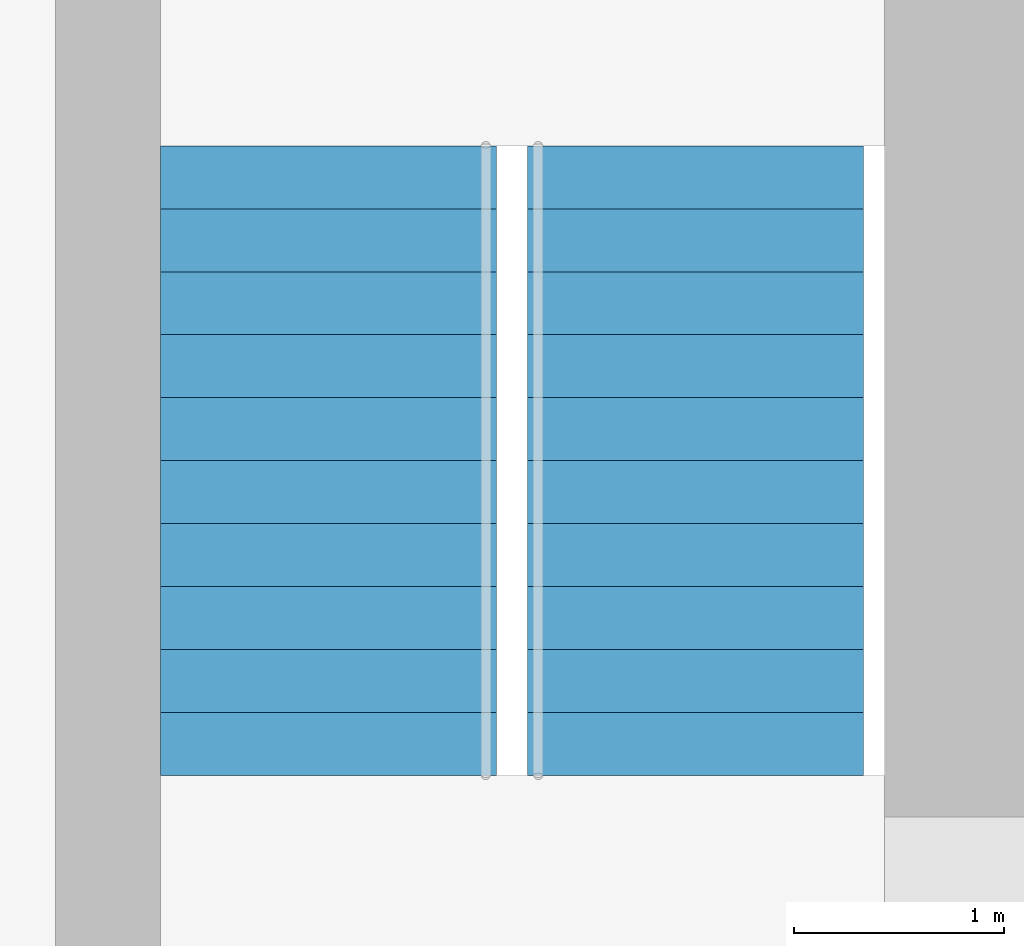
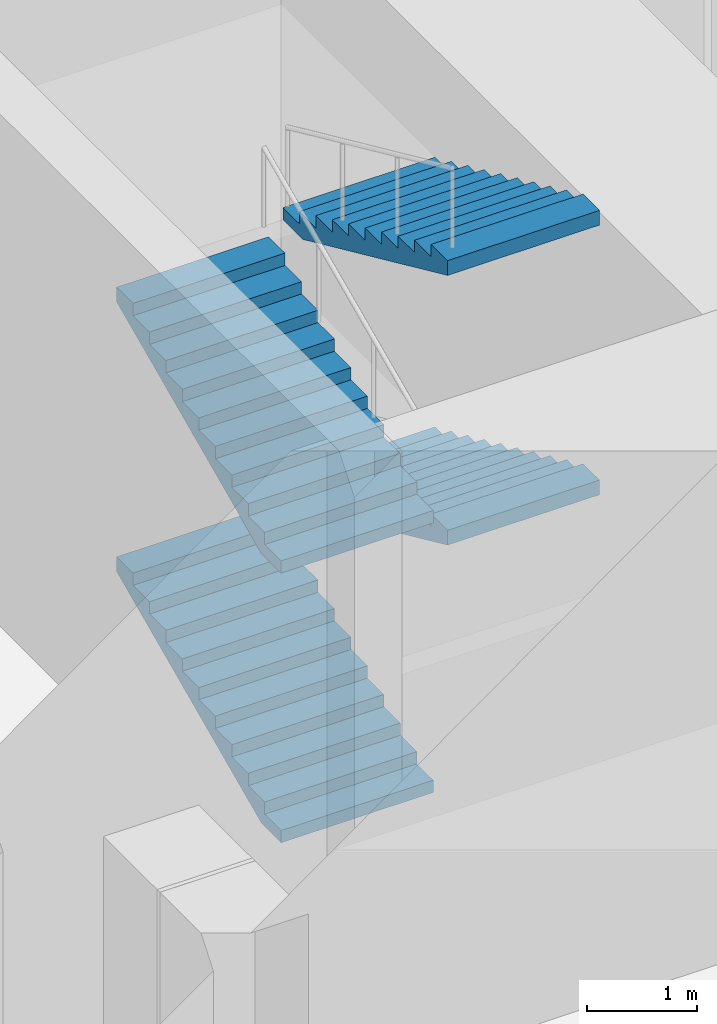
# One storey, part 30 of 32: 4 stair flights, 1 element without a shape of its own.
"""IFC4 building model written with IfcOpenShell, lengths in metres."""

from ifc_helpers import new_model, si_unit, direction, frame, origin, place, context, subcontext, project, spatial, polyline, outline, extrude, material, type_object, element, aggregate, save


model = new_model("IFC4")

# Units and contexts
model_context = context("Model", 3, precision=1e-05, world=origin(), true_north=direction((0.0, 1.0)))
body_context = subcontext(model_context, "Body", "Model", "MODEL_VIEW")
ifc_project = project(units=[si_unit("LENGTHUNIT", "METRE"), si_unit("AREAUNIT", "SQUARE_METRE"), si_unit("VOLUMEUNIT", "CUBIC_METRE"), si_unit("PLANEANGLEUNIT", "RADIAN"), si_unit("MASSUNIT", "GRAM", prefix="KILO")], contexts=[model_context])

# Site, building, storey
site_placement = place(None, origin())
site = spatial("IfcSite", under=ifc_project, at=site_placement, CompositionType="ELEMENT")
building_placement = place(site_placement, origin())
building = spatial("IfcBuilding", under=site, at=building_placement, Name="Dunama Terrace Hotel", CompositionType="ELEMENT")
storey_placement = place(building_placement, frame((0.0, 0.0, 6.0)))
storey = spatial("IfcBuildingStorey", under=building, at=storey_placement, Name="L01", CompositionType="ELEMENT", Elevation=6.0)

# Stair, stair flights
ifc_material_1 = material(Name="Concrete C40/50", Category="concrete")
stair_type = type_object("IfcStairType", Name="Stair ST2-6000-1600", PredefinedType="HALF_TURN_STAIR", material=ifc_material_1)
stair_placement = place(storey_placement, origin())
stair = element("IfcStair", 1, at=stair_placement, inside=storey, type_object=stair_type, Name="Stair ST2 L01", PredefinedType="HALF_TURN_STAIR")
ifc_material_2 = material(Name="Concrete C40/50", Category="concrete")
stair_flight_type = type_object("IfcStairFlightType", Name="Stair flight ST2-6000-1600", PredefinedType="STRAIGHT", material=ifc_material_2)
stair_flight_1_placement = place(storey_placement, frame((38.85009765625, 19.0, 0.0), z_axis=(0.0, 0.0, 1.0), x_axis=(0.0, 1.0, 0.0)))
stair_flight_1 = element("IfcStairFlight", 2, at=stair_flight_1_placement, type_object=stair_flight_type, Name="ST2 flight 1", NumberOfRisers=11, NumberOfTreads=10, PredefinedType="STRAIGHT", RiserHeight=0.136363636, TreadLength=0.3, context=body_context, shape_type="SweptSolid", body=[
    extrude(outline(polyline([(0.0, 0.0), (0.0, 0.136474609375), (0.300048828125, 0.136474609375), (0.300048828125, 0.272705078125), (0.60009765625, 0.272705078125), (0.60009765625, 0.4091796875), (0.89990234375, 0.4091796875), (0.89990234375, 0.54541015625), (1.199951171875, 0.54541015625), (1.199951171875, 0.681884765625), (1.5, 0.681884765625), (1.5, 0.818115234375), (1.800048828125, 0.818115234375), (1.800048828125, 0.95458984375), (2.10009765625, 0.95458984375), (2.10009765625, 1.0908203125), (2.39990234375, 1.0908203125), (2.39990234375, 1.227294921875), (2.699951171875, 1.227294921875), (2.699951171875, 1.363525390625), (3.0, 1.363525390625), (3.0, 1.5), (3.0, 1.198974609375), (0.3623046875, 0.0), (0.0, 0.0)])), frame((0.0, 0.800048828125, 0.0), z_axis=(0.0, -1.0, 0.0), x_axis=(1.0, 0.0, 0.0)), (0.0, 0.0, 1.0), 1.60009765625),
])
stair_flight_2_placement = place(storey_placement, frame((40.60009765625, 22.0, 1.5), z_axis=(0.0, 0.0, 1.0), x_axis=(0.0, -1.0, 0.0)))
stair_flight_2 = element("IfcStairFlight", 3, at=stair_flight_2_placement, type_object=stair_flight_type, Name="ST2 flight 2", NumberOfRisers=11, NumberOfTreads=10, PredefinedType="STRAIGHT", RiserHeight=0.136363636, TreadLength=0.3, context=body_context, shape_type="SweptSolid", body=[
    extrude(outline(polyline([(0.0, 0.0), (0.0, 0.136474609375), (0.300048828125, 0.136474609375), (0.300048828125, 0.272705078125), (0.60009765625, 0.272705078125), (0.60009765625, 0.4091796875), (0.89990234375, 0.4091796875), (0.89990234375, 0.54541015625), (1.199951171875, 0.54541015625), (1.199951171875, 0.681884765625), (1.5, 0.681884765625), (1.5, 0.818115234375), (1.800048828125, 0.818115234375), (1.800048828125, 0.95458984375), (2.10009765625, 0.95458984375), (2.10009765625, 1.0908203125), (2.39990234375, 1.0908203125), (2.39990234375, 1.227294921875), (2.699951171875, 1.227294921875), (2.699951171875, 1.363525390625), (3.0, 1.363525390625), (3.0, 1.5), (3.0, 1.198974609375), (0.3623046875, 0.0), (0.0, 0.0)])), frame((0.0, 0.800048828125, 0.0), z_axis=(0.0, -1.0, 0.0), x_axis=(1.0, 0.0, 0.0)), (0.0, 0.0, 1.0), 1.60009765625),
])
stair_flight_3_placement = place(storey_placement, frame((38.85009765625, 19.0, 3.0), z_axis=(0.0, 0.0, 1.0), x_axis=(0.0, 1.0, 0.0)))
stair_flight_3 = element("IfcStairFlight", 4, at=stair_flight_3_placement, type_object=stair_flight_type, Name="ST2 flight 3", NumberOfRisers=11, NumberOfTreads=10, PredefinedType="STRAIGHT", RiserHeight=0.136363636, TreadLength=0.3, context=body_context, shape_type="SweptSolid", body=[
    extrude(outline(polyline([(0.0, 0.0), (0.0, 0.136474609375), (0.300048828125, 0.136474609375), (0.300048828125, 0.272705078125), (0.60009765625, 0.272705078125), (0.60009765625, 0.4091796875), (0.89990234375, 0.4091796875), (0.89990234375, 0.54541015625), (1.199951171875, 0.54541015625), (1.199951171875, 0.681884765625), (1.5, 0.681884765625), (1.5, 0.818115234375), (1.800048828125, 0.818115234375), (1.800048828125, 0.95458984375), (2.10009765625, 0.95458984375), (2.10009765625, 1.0908203125), (2.39990234375, 1.0908203125), (2.39990234375, 1.227294921875), (2.699951171875, 1.227294921875), (2.699951171875, 1.363525390625), (3.0, 1.363525390625), (3.0, 1.5), (3.0, 1.198974609375), (0.3623046875, 0.0), (0.0, 0.0)])), frame((0.0, 0.800048828125, 0.0), z_axis=(0.0, -1.0, 0.0), x_axis=(1.0, 0.0, 0.0)), (0.0, 0.0, 1.0), 1.60009765625),
])
stair_flight_4_placement = place(storey_placement, frame((40.60009765625, 22.0, 4.5), z_axis=(0.0, 0.0, 1.0), x_axis=(0.0, -1.0, 0.0)))
stair_flight_4 = element("IfcStairFlight", 5, at=stair_flight_4_placement, type_object=stair_flight_type, Name="ST2 flight 4", NumberOfRisers=11, NumberOfTreads=10, PredefinedType="STRAIGHT", RiserHeight=0.136363636, TreadLength=0.3, context=body_context, shape_type="SweptSolid", body=[
    extrude(outline(polyline([(0.0, 0.0), (0.0, 0.136474609375), (0.300048828125, 0.136474609375), (0.300048828125, 0.272705078125), (0.60009765625, 0.272705078125), (0.60009765625, 0.4091796875), (0.89990234375, 0.4091796875), (0.89990234375, 0.54541015625), (1.199951171875, 0.54541015625), (1.199951171875, 0.681884765625), (1.5, 0.681884765625), (1.5, 0.818115234375), (1.800048828125, 0.818115234375), (1.800048828125, 0.95458984375), (2.10009765625, 0.95458984375), (2.10009765625, 1.0908203125), (2.39990234375, 1.0908203125), (2.39990234375, 1.227294921875), (2.699951171875, 1.227294921875), (2.699951171875, 1.363525390625), (3.0, 1.363525390625), (3.0, 1.5), (3.0, 1.198974609375), (0.3623046875, 0.0), (0.0, 0.0)])), frame((0.0, 0.800048828125, 0.0), z_axis=(0.0, -1.0, 0.0), x_axis=(1.0, 0.0, 0.0)), (0.0, 0.0, 1.0), 1.60009765625),
])
aggregate(stair, [stair_flight_1, stair_flight_2, stair_flight_3, stair_flight_4])

save(model, "model.ifc")
